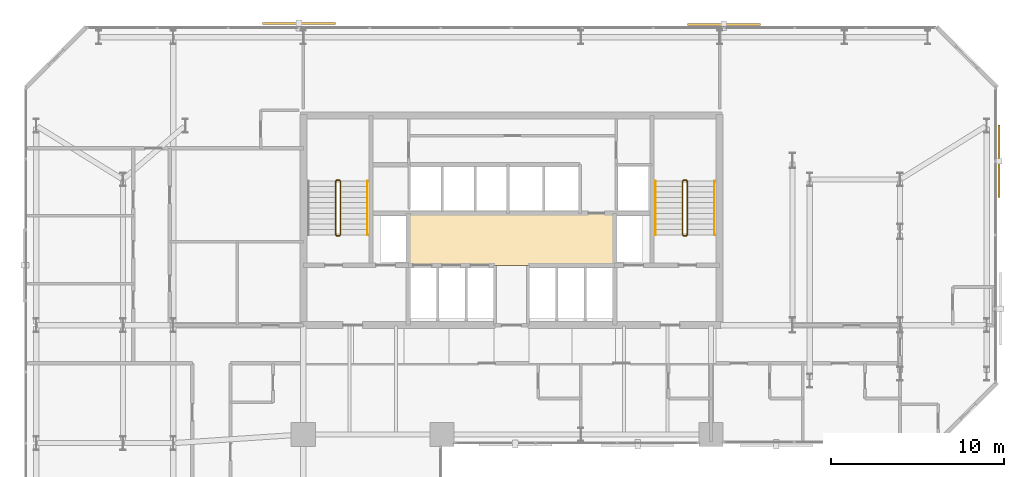
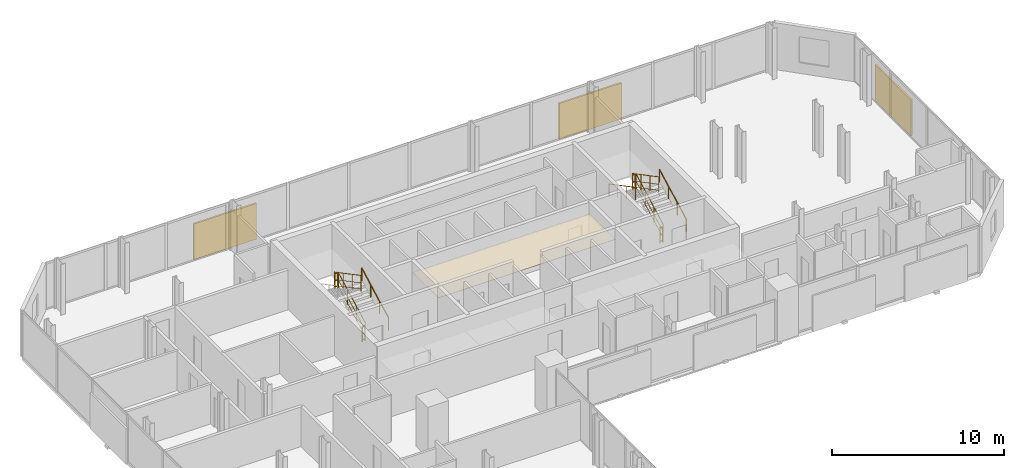
# One storey, part 33 of 33: 11 railings, 3 shading devices, 1 covering.
"""IFC4 building model written with IfcOpenShell, lengths in metres."""

from ifc_helpers import new_model, si_unit, direction, frame, origin, origin_2d, place, context, subcontext, project, spatial, polyline, rectangle, circle, outline, extrude, material, layer, layer_set, type_object, element, save


model = new_model("IFC4")

# Units and contexts
model_context = context("Model", 3, precision=1e-05, world=origin(), true_north=direction((0.0, 1.0)))
body_context = subcontext(model_context, "Body", "Model", "MODEL_VIEW")
ifc_project = project(units=[si_unit("LENGTHUNIT", "METRE"), si_unit("AREAUNIT", "SQUARE_METRE"), si_unit("VOLUMEUNIT", "CUBIC_METRE"), si_unit("PLANEANGLEUNIT", "RADIAN"), si_unit("MASSUNIT", "GRAM", prefix="KILO")], contexts=[model_context])

# Site, building, storey
site_placement = place(None, origin())
site = spatial("IfcSite", under=ifc_project, at=site_placement, CompositionType="ELEMENT")
building_placement = place(site_placement, origin())
building = spatial("IfcBuilding", under=site, at=building_placement, Name="Catumbela Crestline Tower", CompositionType="ELEMENT")
storey_placement = place(building_placement, frame((0.0, 0.0, 58.2)))
storey = spatial("IfcBuildingStorey", under=building, at=storey_placement, Name="L14", CompositionType="ELEMENT", Elevation=58.2)

# Covering
ifc_material_1 = material(Name="Mineral-fibre acoustic ceiling")
ifc_layer = layer(ifc_material_1, 0.03, Name="Mineral-fibre acoustic ceiling")
ifc_layer_set = layer_set([ifc_layer], Name="Mineral-fibre acoustic ceiling")
covering_type = type_object("IfcCoveringType", Name="CC-AC", PredefinedType="CEILING", material=ifc_layer_set)
covering_placement = place(storey_placement, frame((0.0, 0.0, 2.65)))
element("IfcCovering", 1, at=covering_placement, inside=storey, type_object=covering_type, Name="L14 Lift Lobby Acoustic Ceiling", PredefinedType="CEILING", context=body_context, shape_type="SweptSolid", body=[
    extrude(outline(polyline([(22.05, 34.25), (33.95, 34.25), (33.95, 37.25), (22.05, 37.25), (22.05, 34.25)])), origin(), (0.0, 0.0, 1.0), 0.03),
])

# Railings
ifc_material_2 = material(Name="Stainless steel EN 1.4401", Category="steel")
railing_type_1 = type_object("IfcRailingType", Name="RG-1100", PredefinedType="GUARDRAIL", material=ifc_material_2)
railing_1_placement = place(storey_placement, frame((18.14, 36.0, 0.1636)))
element("IfcRailing", 2, at=railing_1_placement, inside=storey, type_object=railing_type_1, Name="L14 ST-01 stair guard 1", PredefinedType="GUARDRAIL", context=body_context, shape_type="SweptSolid", body=[
    extrude(circle(Radius=0.024, at=origin_2d()), frame((0.0, 0.0, 1.076), z_axis=(0.0, 0.884350731049, 0.466823076222), x_axis=(-1.0, 0.0, 0.0)), (0.0, 0.0, 1.0), 3.5054),
    extrude(circle(Radius=0.0156, at=origin_2d()), frame((0.0, 0.0, 0.55), z_axis=(0.0, 0.884350731049, 0.466823076222), x_axis=(-1.0, 0.0, 0.0)), (0.0, 0.0, 1.0), 3.5054),
    extrude(circle(Radius=0.0156, at=origin_2d()), frame((0.0, 0.0, 0.12), z_axis=(0.0, 0.884350731049, 0.466823076222), x_axis=(-1.0, 0.0, 0.0)), (0.0, 0.0, 1.0), 3.5054),
    extrude(circle(Radius=0.021, at=origin_2d()), origin(), (0.0, 0.0, 1.0), 1.052),
    extrude(circle(Radius=0.021, at=origin_2d()), frame((0.0, 1.0333, 0.5455)), (0.0, 0.0, 1.0), 1.052),
    extrude(circle(Radius=0.021, at=origin_2d()), frame((0.0, 2.0667, 1.0909)), (0.0, 0.0, 1.0), 1.052),
    extrude(circle(Radius=0.021, at=origin_2d()), frame((0.0, 3.1, 1.6364)), (0.0, 0.0, 1.0), 1.052),
])
railing_2_placement = place(storey_placement, frame((18.09, 39.15, 1.8)))
element("IfcRailing", 3, at=railing_2_placement, inside=storey, type_object=railing_type_1, Name="L14 ST-01 stair guard 2", PredefinedType="GUARDRAIL", context=body_context, shape_type="SweptSolid", body=[
    extrude(circle(Radius=0.024, at=origin_2d()), frame((0.0, 0.0, 1.076), z_axis=(-1.0, 0.0, 0.0), x_axis=(0.0, -1.0, 0.0)), (0.0, 0.0, 1.0), 0.18),
    extrude(circle(Radius=0.0156, at=origin_2d()), frame((0.0, 0.0, 0.55), z_axis=(-1.0, 0.0, 0.0), x_axis=(0.0, -1.0, 0.0)), (0.0, 0.0, 1.0), 0.18),
    extrude(circle(Radius=0.0156, at=origin_2d()), frame((0.0, 0.0, 0.12), z_axis=(-1.0, 0.0, 0.0), x_axis=(0.0, -1.0, 0.0)), (0.0, 0.0, 1.0), 0.18),
    extrude(circle(Radius=0.021, at=origin_2d()), origin(), (0.0, 0.0, 1.0), 1.052),
    extrude(circle(Radius=0.021, at=origin_2d()), frame((-0.18, 0.0, 0.0)), (0.0, 0.0, 1.0), 1.052),
])
railing_3_placement = place(storey_placement, frame((17.86, 39.1, 1.9636)))
element("IfcRailing", 4, at=railing_3_placement, inside=storey, type_object=railing_type_1, Name="L14 ST-01 stair guard 3", PredefinedType="GUARDRAIL", context=body_context, shape_type="SweptSolid", body=[
    extrude(circle(Radius=0.024, at=origin_2d()), frame((0.0, 0.0, 1.076), z_axis=(0.0, -0.884350731049, 0.466823076222), x_axis=(1.0, 0.0, 0.0)), (0.0, 0.0, 1.0), 3.5054),
    extrude(circle(Radius=0.0156, at=origin_2d()), frame((0.0, 0.0, 0.55), z_axis=(0.0, -0.884350731049, 0.466823076222), x_axis=(1.0, 0.0, 0.0)), (0.0, 0.0, 1.0), 3.5054),
    extrude(circle(Radius=0.0156, at=origin_2d()), frame((0.0, 0.0, 0.12), z_axis=(0.0, -0.884350731049, 0.466823076222), x_axis=(1.0, 0.0, 0.0)), (0.0, 0.0, 1.0), 3.5054),
    extrude(circle(Radius=0.021, at=origin_2d()), origin(), (0.0, 0.0, 1.0), 1.052),
    extrude(circle(Radius=0.021, at=origin_2d()), frame((0.0, -1.0333, 0.5455)), (0.0, 0.0, 1.0), 1.052),
    extrude(circle(Radius=0.021, at=origin_2d()), frame((0.0, -2.0667, 1.0909)), (0.0, 0.0, 1.0), 1.052),
    extrude(circle(Radius=0.021, at=origin_2d()), frame((0.0, -3.1, 1.6364)), (0.0, 0.0, 1.0), 1.052),
])
railing_4_placement = place(storey_placement, frame((18.09, 35.95, 0.0)))
element("IfcRailing", 5, at=railing_4_placement, inside=storey, type_object=railing_type_1, Name="L14 ST-01 stair guard 4", PredefinedType="GUARDRAIL", context=body_context, shape_type="SweptSolid", body=[
    extrude(circle(Radius=0.024, at=origin_2d()), frame((0.0, 0.0, 1.076), z_axis=(-1.0, 0.0, 0.0), x_axis=(0.0, -1.0, 0.0)), (0.0, 0.0, 1.0), 0.18),
    extrude(circle(Radius=0.0156, at=origin_2d()), frame((0.0, 0.0, 0.55), z_axis=(-1.0, 0.0, 0.0), x_axis=(0.0, -1.0, 0.0)), (0.0, 0.0, 1.0), 0.18),
    extrude(circle(Radius=0.0156, at=origin_2d()), frame((0.0, 0.0, 0.12), z_axis=(-1.0, 0.0, 0.0), x_axis=(0.0, -1.0, 0.0)), (0.0, 0.0, 1.0), 0.18),
    extrude(circle(Radius=0.021, at=origin_2d()), origin(), (0.0, 0.0, 1.0), 1.052),
    extrude(circle(Radius=0.021, at=origin_2d()), frame((-0.18, 0.0, 0.0)), (0.0, 0.0, 1.0), 1.052),
])
railing_5_placement = place(storey_placement, frame((38.14, 36.0, 0.1636)))
element("IfcRailing", 6, at=railing_5_placement, inside=storey, type_object=railing_type_1, Name="L14 ST-02 stair guard 1", PredefinedType="GUARDRAIL", context=body_context, shape_type="SweptSolid", body=[
    extrude(circle(Radius=0.024, at=origin_2d()), frame((0.0, 0.0, 1.076), z_axis=(0.0, 0.884350731049, 0.466823076222), x_axis=(-1.0, 0.0, 0.0)), (0.0, 0.0, 1.0), 3.5054),
    extrude(circle(Radius=0.0156, at=origin_2d()), frame((0.0, 0.0, 0.55), z_axis=(0.0, 0.884350731049, 0.466823076222), x_axis=(-1.0, 0.0, 0.0)), (0.0, 0.0, 1.0), 3.5054),
    extrude(circle(Radius=0.0156, at=origin_2d()), frame((0.0, 0.0, 0.12), z_axis=(0.0, 0.884350731049, 0.466823076222), x_axis=(-1.0, 0.0, 0.0)), (0.0, 0.0, 1.0), 3.5054),
    extrude(circle(Radius=0.021, at=origin_2d()), origin(), (0.0, 0.0, 1.0), 1.052),
    extrude(circle(Radius=0.021, at=origin_2d()), frame((0.0, 1.0333, 0.5455)), (0.0, 0.0, 1.0), 1.052),
    extrude(circle(Radius=0.021, at=origin_2d()), frame((0.0, 2.0667, 1.0909)), (0.0, 0.0, 1.0), 1.052),
    extrude(circle(Radius=0.021, at=origin_2d()), frame((0.0, 3.1, 1.6364)), (0.0, 0.0, 1.0), 1.052),
])
railing_6_placement = place(storey_placement, frame((38.09, 39.15, 1.8)))
element("IfcRailing", 7, at=railing_6_placement, inside=storey, type_object=railing_type_1, Name="L14 ST-02 stair guard 2", PredefinedType="GUARDRAIL", context=body_context, shape_type="SweptSolid", body=[
    extrude(circle(Radius=0.024, at=origin_2d()), frame((0.0, 0.0, 1.076), z_axis=(-1.0, 0.0, 0.0), x_axis=(0.0, -1.0, 0.0)), (0.0, 0.0, 1.0), 0.18),
    extrude(circle(Radius=0.0156, at=origin_2d()), frame((0.0, 0.0, 0.55), z_axis=(-1.0, 0.0, 0.0), x_axis=(0.0, -1.0, 0.0)), (0.0, 0.0, 1.0), 0.18),
    extrude(circle(Radius=0.0156, at=origin_2d()), frame((0.0, 0.0, 0.12), z_axis=(-1.0, 0.0, 0.0), x_axis=(0.0, -1.0, 0.0)), (0.0, 0.0, 1.0), 0.18),
    extrude(circle(Radius=0.021, at=origin_2d()), origin(), (0.0, 0.0, 1.0), 1.052),
    extrude(circle(Radius=0.021, at=origin_2d()), frame((-0.18, 0.0, 0.0)), (0.0, 0.0, 1.0), 1.052),
])
railing_7_placement = place(storey_placement, frame((37.86, 39.1, 1.9636)))
element("IfcRailing", 8, at=railing_7_placement, inside=storey, type_object=railing_type_1, Name="L14 ST-02 stair guard 3", PredefinedType="GUARDRAIL", context=body_context, shape_type="SweptSolid", body=[
    extrude(circle(Radius=0.024, at=origin_2d()), frame((0.0, 0.0, 1.076), z_axis=(0.0, -0.884350731049, 0.466823076222), x_axis=(1.0, 0.0, 0.0)), (0.0, 0.0, 1.0), 3.5054),
    extrude(circle(Radius=0.0156, at=origin_2d()), frame((0.0, 0.0, 0.55), z_axis=(0.0, -0.884350731049, 0.466823076222), x_axis=(1.0, 0.0, 0.0)), (0.0, 0.0, 1.0), 3.5054),
    extrude(circle(Radius=0.0156, at=origin_2d()), frame((0.0, 0.0, 0.12), z_axis=(0.0, -0.884350731049, 0.466823076222), x_axis=(1.0, 0.0, 0.0)), (0.0, 0.0, 1.0), 3.5054),
    extrude(circle(Radius=0.021, at=origin_2d()), origin(), (0.0, 0.0, 1.0), 1.052),
    extrude(circle(Radius=0.021, at=origin_2d()), frame((0.0, -1.0333, 0.5455)), (0.0, 0.0, 1.0), 1.052),
    extrude(circle(Radius=0.021, at=origin_2d()), frame((0.0, -2.0667, 1.0909)), (0.0, 0.0, 1.0), 1.052),
    extrude(circle(Radius=0.021, at=origin_2d()), frame((0.0, -3.1, 1.6364)), (0.0, 0.0, 1.0), 1.052),
])
railing_8_placement = place(storey_placement, frame((38.09, 35.95, 0.0)))
element("IfcRailing", 9, at=railing_8_placement, inside=storey, type_object=railing_type_1, Name="L14 ST-02 stair guard 4", PredefinedType="GUARDRAIL", context=body_context, shape_type="SweptSolid", body=[
    extrude(circle(Radius=0.024, at=origin_2d()), frame((0.0, 0.0, 1.076), z_axis=(-1.0, 0.0, 0.0), x_axis=(0.0, -1.0, 0.0)), (0.0, 0.0, 1.0), 0.18),
    extrude(circle(Radius=0.0156, at=origin_2d()), frame((0.0, 0.0, 0.55), z_axis=(-1.0, 0.0, 0.0), x_axis=(0.0, -1.0, 0.0)), (0.0, 0.0, 1.0), 0.18),
    extrude(circle(Radius=0.0156, at=origin_2d()), frame((0.0, 0.0, 0.12), z_axis=(-1.0, 0.0, 0.0), x_axis=(0.0, -1.0, 0.0)), (0.0, 0.0, 1.0), 0.18),
    extrude(circle(Radius=0.021, at=origin_2d()), origin(), (0.0, 0.0, 1.0), 1.052),
    extrude(circle(Radius=0.021, at=origin_2d()), frame((-0.18, 0.0, 0.0)), (0.0, 0.0, 1.0), 1.052),
])
railing_type_2 = type_object("IfcRailingType", Name="RH-0900", PredefinedType="HANDRAIL", material=ifc_material_2)
for number, where, name in (
    (10, (19.7, 36.0, 0.1636), "L14 ST-01 stair handrail 1"),
    (11, (39.7, 36.0, 0.1636), "L14 ST-02 stair handrail 1"),
):
    element("IfcRailing", number, at=place(storey_placement, frame(where)), inside=storey, type_object=railing_type_2, Name=name, PredefinedType="HANDRAIL", context=body_context, shape_type="SweptSolid", body=[
        extrude(circle(Radius=0.024, at=origin_2d()), frame((0.0, 0.0, 0.876), z_axis=(0.0, 0.884350731049, 0.466823076222), x_axis=(-1.0, 0.0, 0.0)), (0.0, 0.0, 1.0), 3.5054),
        extrude(circle(Radius=0.021, at=origin_2d()), origin(), (0.0, 0.0, 1.0), 0.852),
        extrude(circle(Radius=0.021, at=origin_2d()), frame((0.0, 1.0333, 0.5455)), (0.0, 0.0, 1.0), 0.852),
        extrude(circle(Radius=0.021, at=origin_2d()), frame((0.0, 2.0667, 1.0909)), (0.0, 0.0, 1.0), 0.852),
        extrude(circle(Radius=0.021, at=origin_2d()), frame((0.0, 3.1, 1.6364)), (0.0, 0.0, 1.0), 0.852),
    ])
railing_9_placement = place(storey_placement, frame((36.3, 39.1, 1.9636)))
element("IfcRailing", 12, at=railing_9_placement, inside=storey, type_object=railing_type_2, Name="L14 ST-02 stair handrail 2", PredefinedType="HANDRAIL", context=body_context, shape_type="SweptSolid", body=[
    extrude(circle(Radius=0.024, at=origin_2d()), frame((0.0, 0.0, 0.876), z_axis=(0.0, -0.884350731049, 0.466823076222), x_axis=(1.0, 0.0, 0.0)), (0.0, 0.0, 1.0), 3.5054),
    extrude(circle(Radius=0.021, at=origin_2d()), origin(), (0.0, 0.0, 1.0), 0.852),
    extrude(circle(Radius=0.021, at=origin_2d()), frame((0.0, -1.0333, 0.5455)), (0.0, 0.0, 1.0), 0.852),
    extrude(circle(Radius=0.021, at=origin_2d()), frame((0.0, -2.0667, 1.0909)), (0.0, 0.0, 1.0), 0.852),
    extrude(circle(Radius=0.021, at=origin_2d()), frame((0.0, -3.1, 1.6364)), (0.0, 0.0, 1.0), 0.852),
])

# Shading devices
ifc_material_3 = material(Name="Extruded terracotta ceramic", Category="masonry")
shading_device_type_1 = type_object("IfcShadingDeviceType", Name="ST-180", PredefinedType="USERDEFINED", material=ifc_material_3)
shading_device_1_placement = place(storey_placement, frame((56.099, 40.25, -0.1), z_axis=(0.0, 0.0, 1.0), x_axis=(0.0, 1.0, 0.0)))
element("IfcShadingDevice", 13, at=shading_device_1_placement, inside=storey, type_object=shading_device_type_1, Name="L14 Perforated Terracotta Solar Screen 136 (180 mm)", ObjectType="SCREEN", PredefinedType="USERDEFINED", context=body_context, shape_type="SweptSolid", body=[
    extrude(rectangle(XDim=4.2, YDim=0.12, at=origin_2d()), origin(), (0.0, 0.0, 1.0), 2.55),
])
shading_device_type_2 = type_object("IfcShadingDeviceType", Name="ST-260", PredefinedType="USERDEFINED", material=ifc_material_3)
shading_device_2_placement = place(storey_placement, frame((40.25, 48.143, -0.1), z_axis=(0.0, 0.0, 1.0), x_axis=(-1.0, 0.0, 0.0)))
element("IfcShadingDevice", 14, at=shading_device_2_placement, inside=storey, type_object=shading_device_type_2, Name="L14 Perforated Terracotta Solar Screen 137 (260 mm)", ObjectType="SCREEN", PredefinedType="USERDEFINED", context=body_context, shape_type="SweptSolid", body=[
    extrude(rectangle(XDim=4.2, YDim=0.12, at=origin_2d()), origin(), (0.0, 0.0, 1.0), 2.55),
])
shading_device_type_3 = type_object("IfcShadingDeviceType", Name="ST-340", PredefinedType="USERDEFINED", material=ifc_material_3)
shading_device_3_placement = place(storey_placement, frame((15.75, 48.187, -0.1), z_axis=(0.0, 0.0, 1.0), x_axis=(-1.0, 0.0, 0.0)))
element("IfcShadingDevice", 15, at=shading_device_3_placement, inside=storey, type_object=shading_device_type_3, Name="L14 Perforated Terracotta Solar Screen 138 (340 mm)", ObjectType="SCREEN", PredefinedType="USERDEFINED", context=body_context, shape_type="SweptSolid", body=[
    extrude(rectangle(XDim=4.2, YDim=0.12, at=origin_2d()), origin(), (0.0, 0.0, 1.0), 2.55),
])

save(model, "model.ifc")
